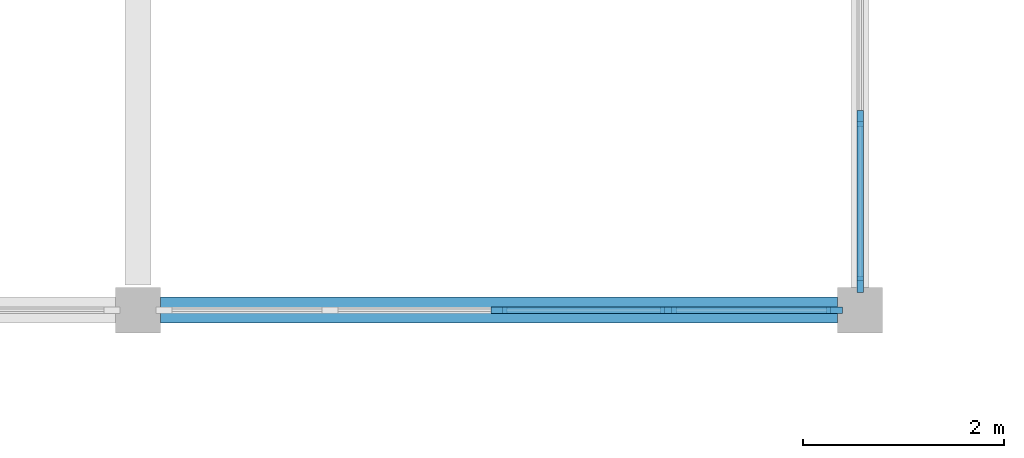
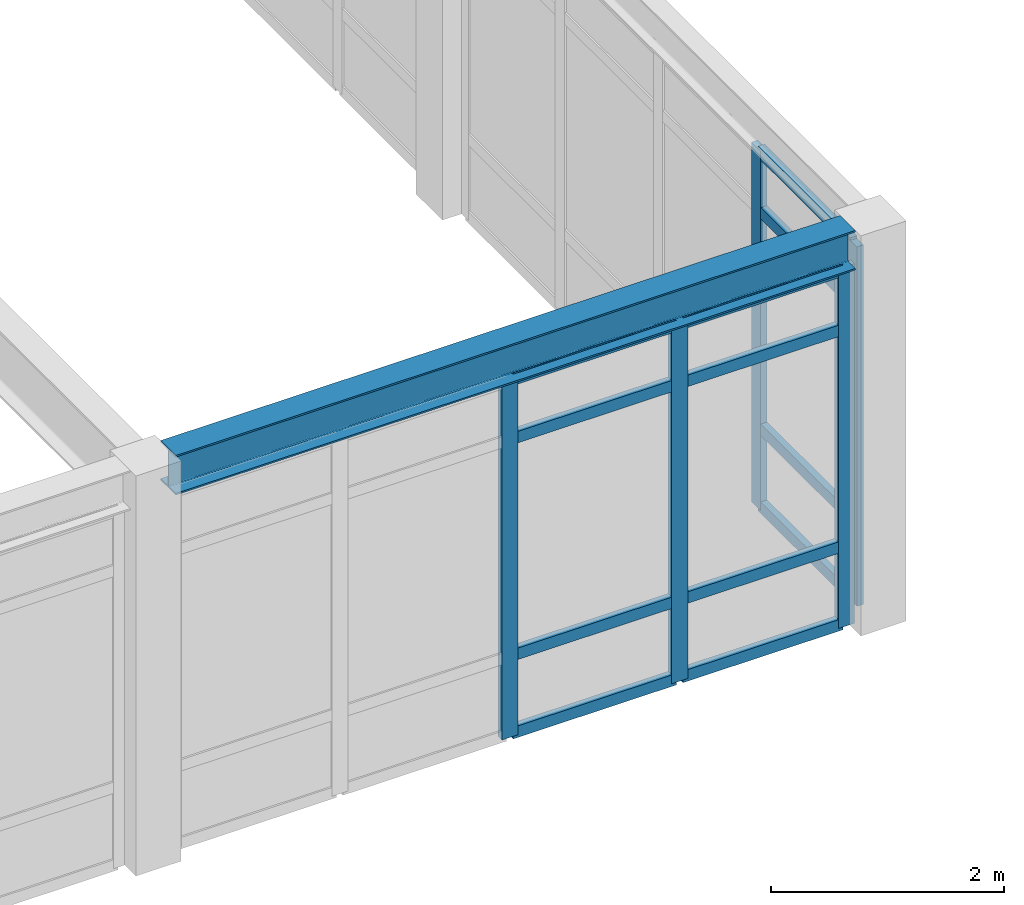
# One storey, part 43 of 136: 17 members, 1 beam, 2 elements without a shape of their own.
"""IFC4 building model written with IfcOpenShell, lengths in metres."""

from ifc_helpers import new_model, si_unit, direction, frame, origin, origin_2d, place, context, subcontext, project, spatial, rectangle, i_section, extrude, material, layer, layer_set, material_profile, profile_set, type_object, element, aggregate, save


model = new_model("IFC4")

# Units and contexts
model_context = context("Model", 3, precision=1e-05, world=origin(), true_north=direction((0.0, 1.0)))
body_context = subcontext(model_context, "Body", "Model", "MODEL_VIEW")
ifc_project = project(units=[si_unit("LENGTHUNIT", "METRE"), si_unit("AREAUNIT", "SQUARE_METRE"), si_unit("VOLUMEUNIT", "CUBIC_METRE"), si_unit("PLANEANGLEUNIT", "RADIAN"), si_unit("MASSUNIT", "GRAM", prefix="KILO")], contexts=[model_context])

# Site, building, storey
site_placement = place(None, origin())
site = spatial("IfcSite", under=ifc_project, at=site_placement, CompositionType="ELEMENT")
building_placement = place(site_placement, origin())
building = spatial("IfcBuilding", under=site, at=building_placement, Name="Koriwan Promenade Central Fire Station", CompositionType="ELEMENT")
storey_placement = place(building_placement, frame((0.0, 0.0, 5.39990234375)))
storey = spatial("IfcBuildingStorey", under=building, at=storey_placement, Name="L01", CompositionType="ELEMENT", Elevation=5.39990234375)

# Curtain wall, members
ifc_material_1 = material(Name="Aluminium EN AW-6063-T6 and low-E glazing", Category="aluminium")
ifc_layer_1 = layer(ifc_material_1, 0.159912109375, Name="Aluminium EN AW-6063-T6 and low-E glazing")
ifc_layer_set_1 = layer_set([ifc_layer_1], Name="Aluminium EN AW-6063-T6 and low-E glazing")
curtain_wall_type_1 = type_object("IfcCurtainWallType", Name="CurtainWall_94_675x378", PredefinedType="USERDEFINED", material=ifc_layer_set_1)
curtain_wall_1_placement = place(storey_placement, origin())
curtain_wall_1 = element("IfcCurtainWall", 1, at=curtain_wall_1_placement, inside=storey, type_object=curtain_wall_type_1, Name="V6 L01 unitised curtain wall 303", ObjectType="UNITISED CURTAIN WALL", PredefinedType="USERDEFINED")
ifc_material_2 = material(Name="Aluminium EN AW-6063-T6", Category="aluminium")
ifc_material_profile_1 = material_profile(ifc_material_2, rectangle(XDim=0.06494140625, YDim=0.159912109375, at=origin_2d()), Name="ALU-MUL-65x160")
ifc_profile_set_1 = profile_set([ifc_material_profile_1], Name="Aluminium EN AW-6063-T6")
member_type_1 = type_object("IfcMemberType", Name="CWMullion_ALU-MUL-65x160", PredefinedType="MULLION", material=ifc_profile_set_1)
member_1_placement = place(storey_placement, frame((32.39990234375, 93.60009765625, 0.0), z_axis=(0.0, 0.0, 1.0), x_axis=(0.0, 1.0, 0.0)))
member_1 = element("IfcMember", 2, at=member_1_placement, type_object=member_type_1, Name="CW-94 mullion 3", PredefinedType="MULLION", context=body_context, shape_type="SweptSolid", body=[
    extrude(rectangle(XDim=0.06494140625, YDim=0.159912109375, at=origin_2d()), origin(), (0.0, 0.0, 1.0), 3.775146484375),
])
member_2_placement = place(storey_placement, frame((34.08740234375, 93.60009765625, 0.0), z_axis=(0.0, 0.0, 1.0), x_axis=(0.0, 1.0, 0.0)))
member_2 = element("IfcMember", 3, at=member_2_placement, type_object=member_type_1, Name="CW-94 mullion 4", PredefinedType="MULLION", context=body_context, shape_type="SweptSolid", body=[
    extrude(rectangle(XDim=0.06494140625, YDim=0.159912109375, at=origin_2d()), origin(), (0.0, 0.0, 1.0), 3.775146484375),
])
member_3_placement = place(storey_placement, frame((35.742431640625, 93.60009765625, 0.0), z_axis=(0.0, 0.0, 1.0), x_axis=(0.0, 1.0, 0.0)))
member_3 = element("IfcMember", 4, at=member_3_placement, type_object=member_type_1, Name="CW-94 mullion 5", PredefinedType="MULLION", context=body_context, shape_type="SweptSolid", body=[
    extrude(rectangle(XDim=0.06494140625, YDim=0.159912109375, at=origin_2d()), origin(), (0.0, 0.0, 1.0), 3.775146484375),
])

ifc_layer_2 = layer(ifc_material_1, 0.159912109375, Name="Aluminium EN AW-6063-T6 and low-E glazing")
ifc_layer_set_2 = layer_set([ifc_layer_2], Name="Aluminium EN AW-6063-T6 and low-E glazing")
curtain_wall_type_2 = type_object("IfcCurtainWallType", Name="CurtainWall_96_675x377", PredefinedType="USERDEFINED", material=ifc_layer_set_2)
curtain_wall_2_placement = place(storey_placement, origin())
curtain_wall_2 = element("IfcCurtainWall", 5, at=curtain_wall_2_placement, inside=storey, type_object=curtain_wall_type_2, Name="V6 L01 unitised curtain wall 305", ObjectType="UNITISED CURTAIN WALL", PredefinedType="USERDEFINED")
member_4_placement = place(storey_placement, frame((36.0, 93.857421875, 0.0), z_axis=(0.0, 0.0, 1.0), x_axis=(-1.0, 0.0, 0.0)))
member_4 = element("IfcMember", 6, at=member_4_placement, type_object=member_type_1, Name="CW-96 mullion 1", PredefinedType="MULLION", context=body_context, shape_type="SweptSolid", body=[
    extrude(rectangle(XDim=0.06494140625, YDim=0.159912109375, at=origin_2d()), origin(), (0.0, 0.0, 1.0), 3.773193359375),
])
member_5_placement = place(storey_placement, frame((36.0, 95.512451171875, 0.0), z_axis=(0.0, 0.0, 1.0), x_axis=(-1.0, 0.0, 0.0)))
member_5 = element("IfcMember", 7, at=member_5_placement, type_object=member_type_1, Name="CW-96 mullion 2", PredefinedType="MULLION", context=body_context, shape_type="SweptSolid", body=[
    extrude(rectangle(XDim=0.06494140625, YDim=0.159912109375, at=origin_2d()), origin(), (0.0, 0.0, 1.0), 3.773193359375),
])

# Member
ifc_material_profile_2 = material_profile(ifc_material_2, rectangle(XDim=0.06494140625, YDim=0.1201171875, at=origin_2d()), Name="ALU-TRN-65x120")
ifc_profile_set_2 = profile_set([ifc_material_profile_2], Name="Aluminium EN AW-6063-T6")
member_type_2 = type_object("IfcMemberType", Name="CWTransom_ALU-TRN-65x120", PredefinedType="USERDEFINED", material=ifc_profile_set_2)
member_6_placement = place(storey_placement, frame((32.4326171875, 93.60009765625, 0.03271484375), z_axis=(1.0, 0.0, 0.0), x_axis=(0.0, 1.0, 0.0)))
member_6 = element("IfcMember", 8, at=member_6_placement, type_object=member_type_2, Name="CW-94 transom 3.1", ObjectType="TRANSOM", PredefinedType="USERDEFINED", context=body_context, shape_type="SweptSolid", body=[
    extrude(rectangle(XDim=0.06494140625, YDim=0.1201171875, at=origin_2d()), origin(), (0.0, 0.0, 1.0), 1.622314453125),
])

member_7_placement = place(storey_placement, frame((32.4326171875, 93.60009765625, 0.85009765625), z_axis=(1.0, 0.0, 0.0), x_axis=(0.0, 1.0, 0.0)))
member_7 = element("IfcMember", 9, at=member_7_placement, type_object=member_type_2, Name="CW-94 transom 3.2", ObjectType="TRANSOM", PredefinedType="USERDEFINED", context=body_context, shape_type="SweptSolid", body=[
    extrude(rectangle(XDim=0.06494140625, YDim=0.1201171875, at=origin_2d()), origin(), (0.0, 0.0, 1.0), 1.622314453125),
])

member_8_placement = place(storey_placement, frame((32.4326171875, 93.60009765625, 3.125), z_axis=(1.0, 0.0, 0.0), x_axis=(0.0, 1.0, 0.0)))
member_8 = element("IfcMember", 10, at=member_8_placement, type_object=member_type_2, Name="CW-94 transom 3.3", ObjectType="TRANSOM", PredefinedType="USERDEFINED", context=body_context, shape_type="SweptSolid", body=[
    extrude(rectangle(XDim=0.06494140625, YDim=0.1201171875, at=origin_2d()), origin(), (0.0, 0.0, 1.0), 1.622314453125),
])

member_9_placement = place(storey_placement, frame((32.4326171875, 93.60009765625, 3.74267578125), z_axis=(1.0, 0.0, 0.0), x_axis=(0.0, 1.0, 0.0)))
member_9 = element("IfcMember", 11, at=member_9_placement, type_object=member_type_2, Name="CW-94 transom 3.4", ObjectType="TRANSOM", PredefinedType="USERDEFINED", context=body_context, shape_type="SweptSolid", body=[
    extrude(rectangle(XDim=0.06494140625, YDim=0.1201171875, at=origin_2d()), origin(), (0.0, 0.0, 1.0), 1.622314453125),
])

member_10_placement = place(storey_placement, frame((34.1201171875, 93.60009765625, 0.03271484375), z_axis=(1.0, 0.0, 0.0), x_axis=(0.0, 1.0, 0.0)))
member_10 = element("IfcMember", 12, at=member_10_placement, type_object=member_type_2, Name="CW-94 transom 4.1", ObjectType="TRANSOM", PredefinedType="USERDEFINED", context=body_context, shape_type="SweptSolid", body=[
    extrude(rectangle(XDim=0.06494140625, YDim=0.1201171875, at=origin_2d()), origin(), (0.0, 0.0, 1.0), 1.58984375),
])

member_11_placement = place(storey_placement, frame((34.1201171875, 93.60009765625, 0.85009765625), z_axis=(1.0, 0.0, 0.0), x_axis=(0.0, 1.0, 0.0)))
member_11 = element("IfcMember", 13, at=member_11_placement, type_object=member_type_2, Name="CW-94 transom 4.2", ObjectType="TRANSOM", PredefinedType="USERDEFINED", context=body_context, shape_type="SweptSolid", body=[
    extrude(rectangle(XDim=0.06494140625, YDim=0.1201171875, at=origin_2d()), origin(), (0.0, 0.0, 1.0), 1.58984375),
])

member_12_placement = place(storey_placement, frame((34.1201171875, 93.60009765625, 3.125), z_axis=(1.0, 0.0, 0.0), x_axis=(0.0, 1.0, 0.0)))
member_12 = element("IfcMember", 14, at=member_12_placement, type_object=member_type_2, Name="CW-94 transom 4.3", ObjectType="TRANSOM", PredefinedType="USERDEFINED", context=body_context, shape_type="SweptSolid", body=[
    extrude(rectangle(XDim=0.06494140625, YDim=0.1201171875, at=origin_2d()), origin(), (0.0, 0.0, 1.0), 1.58984375),
])

member_13_placement = place(storey_placement, frame((34.1201171875, 93.60009765625, 3.74267578125), z_axis=(1.0, 0.0, 0.0), x_axis=(0.0, 1.0, 0.0)))
member_13 = element("IfcMember", 15, at=member_13_placement, type_object=member_type_2, Name="CW-94 transom 4.4", ObjectType="TRANSOM", PredefinedType="USERDEFINED", context=body_context, shape_type="SweptSolid", body=[
    extrude(rectangle(XDim=0.06494140625, YDim=0.1201171875, at=origin_2d()), origin(), (0.0, 0.0, 1.0), 1.58984375),
])

aggregate(curtain_wall_1, [member_1, member_2, member_3, member_6, member_7, member_8, member_9, member_10, member_11, member_12, member_13])

member_14_placement = place(storey_placement, frame((36.0, 93.889892578125, 0.03271484375), z_axis=(0.0, 1.0, 0.0), x_axis=(-1.0, 0.0, 0.0)))
member_14 = element("IfcMember", 16, at=member_14_placement, type_object=member_type_2, Name="CW-96 transom 1.1", ObjectType="TRANSOM", PredefinedType="USERDEFINED", context=body_context, shape_type="SweptSolid", body=[
    extrude(rectangle(XDim=0.06494140625, YDim=0.1201171875, at=origin_2d()), origin(), (0.0, 0.0, 1.0), 1.590087890625),
])

member_15_placement = place(storey_placement, frame((36.0, 93.889892578125, 0.85009765625), z_axis=(0.0, 1.0, 0.0), x_axis=(-1.0, 0.0, 0.0)))
member_15 = element("IfcMember", 17, at=member_15_placement, type_object=member_type_2, Name="CW-96 transom 1.2", ObjectType="TRANSOM", PredefinedType="USERDEFINED", context=body_context, shape_type="SweptSolid", body=[
    extrude(rectangle(XDim=0.06494140625, YDim=0.1201171875, at=origin_2d()), origin(), (0.0, 0.0, 1.0), 1.590087890625),
])

member_16_placement = place(storey_placement, frame((36.0, 93.889892578125, 3.123046875), z_axis=(0.0, 1.0, 0.0), x_axis=(-1.0, 0.0, 0.0)))
member_16 = element("IfcMember", 18, at=member_16_placement, type_object=member_type_2, Name="CW-96 transom 1.3", ObjectType="TRANSOM", PredefinedType="USERDEFINED", context=body_context, shape_type="SweptSolid", body=[
    extrude(rectangle(XDim=0.06494140625, YDim=0.1201171875, at=origin_2d()), origin(), (0.0, 0.0, 1.0), 1.590087890625),
])

member_17_placement = place(storey_placement, frame((36.0, 93.889892578125, 3.740478515625), z_axis=(0.0, 1.0, 0.0), x_axis=(-1.0, 0.0, 0.0)))
member_17 = element("IfcMember", 19, at=member_17_placement, type_object=member_type_2, Name="CW-96 transom 1.4", ObjectType="TRANSOM", PredefinedType="USERDEFINED", context=body_context, shape_type="SweptSolid", body=[
    extrude(rectangle(XDim=0.06494140625, YDim=0.1201171875, at=origin_2d()), origin(), (0.0, 0.0, 1.0), 1.590087890625),
])

aggregate(curtain_wall_2, [member_4, member_5, member_14, member_15, member_16, member_17])

# Beam
ifc_material_3 = material(Name="Steel ASTM A992 Grade 50", Category="steel")
ifc_material_profile_3 = material_profile(ifc_material_3, i_section(OverallWidth=0.260009765625, OverallDepth=0.4150390625, WebThickness=0.010009765625, FlangeThickness=0.016845703125, FilletRadius=0.01611328125, at=origin_2d()), Name="W410x100")
ifc_profile_set_3 = profile_set([ifc_material_profile_3], Name="Steel ASTM A992 Grade 50")
beam_type = type_object("IfcBeamType", Name="SteelBeam_W410x100", PredefinedType="BEAM", material=ifc_profile_set_3)
beam_placement = place(storey_placement, frame((29.02490234375, 93.60009765625, 3.99267578125), z_axis=(1.0, 0.0, 0.0), x_axis=(0.0, 1.0, 0.0)))
element("IfcBeam", 20, at=beam_placement, inside=storey, type_object=beam_type, Name="V6 L01 girder X-1049", PredefinedType="BEAM", context=body_context, shape_type="SweptSolid", body=[
    extrude(i_section(OverallWidth=0.260009765625, OverallDepth=0.4150390625, WebThickness=0.010009765625, FlangeThickness=0.016845703125, FilletRadius=0.01611328125, at=origin_2d()), origin(), (0.0, 0.0, 1.0), 6.75),
])

save(model, "model.ifc")
